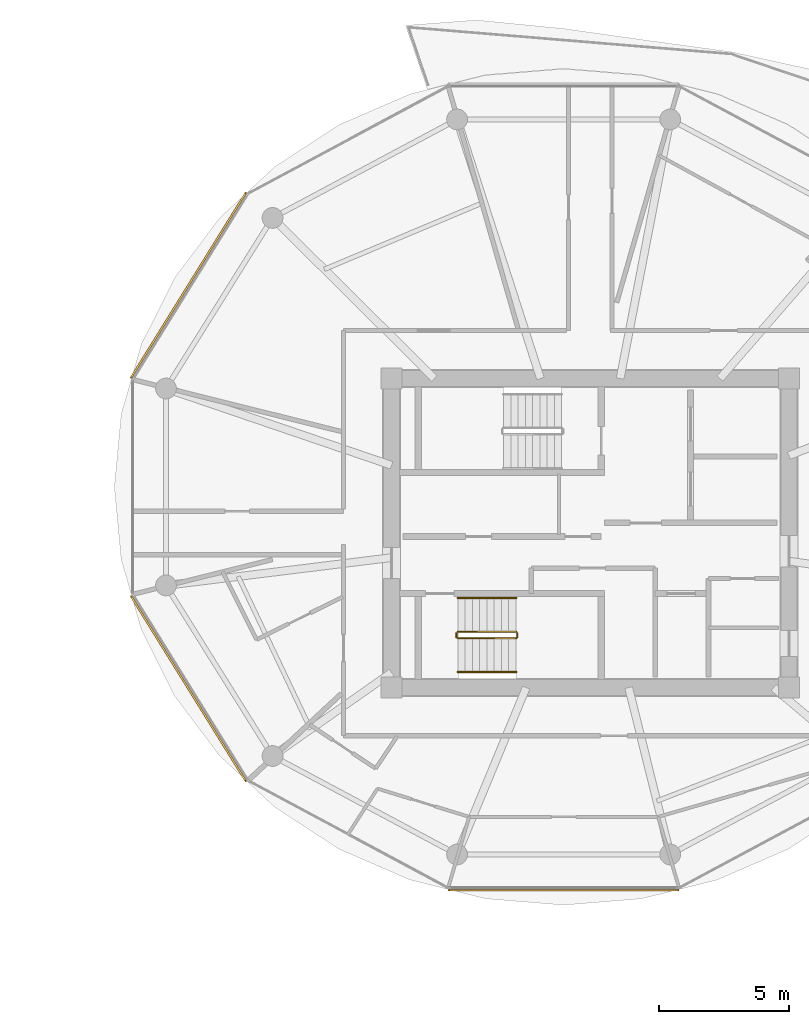
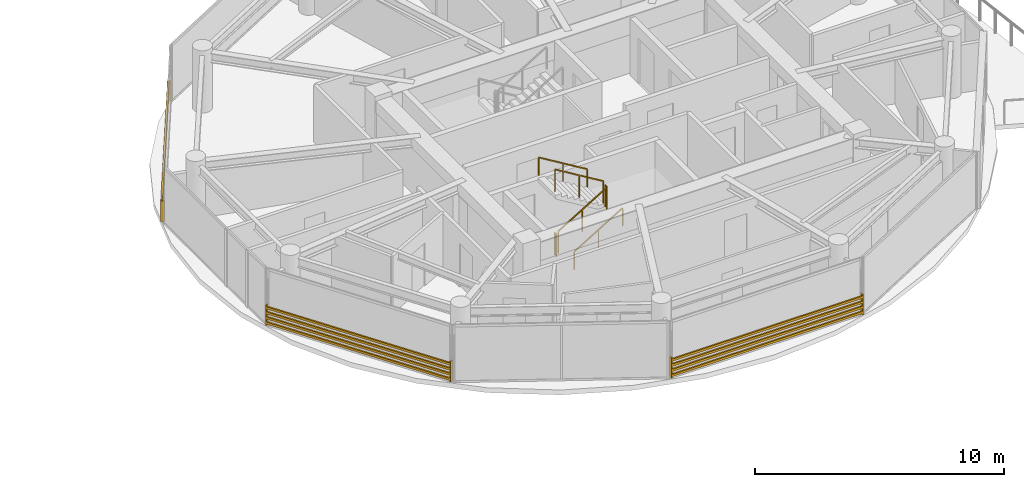
# One storey, part 21 of 22: 6 railings, 3 shading devices.
"""IFC4 building model written with IfcOpenShell, lengths in metres."""

from ifc_helpers import new_model, si_unit, direction, frame, origin, origin_2d, place, context, subcontext, project, spatial, rectangle, extrude, source, transform, mapped, material, type_object, type_shapes, element, save


model = new_model("IFC4")

# Units and contexts
model_context = context("Model", 3, precision=1e-05, world=origin(), true_north=direction((0.0, 1.0)))
body_context = subcontext(model_context, "Body", "Model", "MODEL_VIEW")
ifc_project = project(units=[si_unit("LENGTHUNIT", "METRE"), si_unit("AREAUNIT", "SQUARE_METRE"), si_unit("VOLUMEUNIT", "CUBIC_METRE"), si_unit("PLANEANGLEUNIT", "RADIAN"), si_unit("MASSUNIT", "GRAM", prefix="KILO")], contexts=[model_context])

# Site, building, storey
site_placement = place(None, origin())
site = spatial("IfcSite", under=ifc_project, at=site_placement, CompositionType="ELEMENT")
building_placement = place(site_placement, origin())
building = spatial("IfcBuilding", under=site, at=building_placement, Name="Norrkilde Senior Care Towers", CompositionType="ELEMENT")
storey_placement = place(building_placement, frame((0.0, 0.0, 167.85009765625)))
storey = spatial("IfcBuildingStorey", under=building, at=storey_placement, Name="L52", CompositionType="ELEMENT", Elevation=167.85009765625)

# Railings
ifc_material_1 = material(Name="Stainless Steel", Category="steel")
railing_type_1 = type_object("IfcRailingType", Name="Stair and Terrace Guardrail 1100", PredefinedType="GUARDRAIL", material=ifc_material_1)
railing_1_placement = place(storey_placement, frame((22.89990234375, -4.050048828125, 0.16943359375)))
element("IfcRailing", 1, at=railing_1_placement, inside=storey, type_object=railing_type_1, Name="L52 ST-E2 stair guard 1", PredefinedType="GUARDRAIL", context=body_context, shape_type="SweptSolid", body=[
    extrude(rectangle(XDim=0.048095703125, YDim=0.048095703125, at=origin_2d()), frame((0.0, 0.0, 1.076171875), z_axis=(0.855553338991, 0.0, 0.51771467445), x_axis=(0.0, 1.0, 0.0)), (0.0, 0.0, 1.0), 2.6181640625),
    extrude(rectangle(XDim=0.0419921875, YDim=0.0419921875, at=origin_2d()), origin(), (0.0, 0.0, 1.0), 1.050048828125),
    extrude(rectangle(XDim=0.0419921875, YDim=0.0419921875, at=origin_2d()), frame((1.1201171875, 0.0, 0.677734375)), (0.0, 0.0, 1.0), 1.050048828125),
    extrude(rectangle(XDim=0.0419921875, YDim=0.0419921875, at=origin_2d()), frame((2.239990234375, 0.0, 1.35546875)), (0.0, 0.0, 1.0), 1.050048828125),
])
railing_2_placement = place(storey_placement, frame((25.18994140625, -4.0, 1.52490234375)))
element("IfcRailing", 2, at=railing_2_placement, inside=storey, type_object=railing_type_1, Name="L52 ST-E2 stair guard 2", PredefinedType="GUARDRAIL", context=body_context, shape_type="SweptSolid", body=[
    extrude(rectangle(XDim=0.048095703125, YDim=0.048095703125, at=origin_2d()), frame((0.0, 0.0, 1.076171875), z_axis=(0.0, 1.0, 0.0), x_axis=(-1.0, 0.0, 0.0)), (0.0, 0.0, 1.0), 0.14990234375),
    extrude(rectangle(XDim=0.0419921875, YDim=0.0419921875, at=origin_2d()), origin(), (0.0, 0.0, 1.0), 1.050048828125),
    extrude(rectangle(XDim=0.0419921875, YDim=0.0419921875, at=origin_2d()), frame((0.0, 0.14990234375, 0.0)), (0.0, 0.0, 1.0), 1.050048828125),
])
railing_3_placement = place(storey_placement, frame((25.139892578125, -3.800048828125, 1.6943359375)))
element("IfcRailing", 3, at=railing_3_placement, inside=storey, type_object=railing_type_1, Name="L52 ST-E2 stair guard 3", PredefinedType="GUARDRAIL", context=body_context, shape_type="SweptSolid", body=[
    extrude(rectangle(XDim=0.048095703125, YDim=0.048095703125, at=origin_2d()), frame((0.0, 0.0, 1.076171875), z_axis=(-0.855553338991, 0.0, 0.51771467445), x_axis=(0.0, -1.0, 0.0)), (0.0, 0.0, 1.0), 2.6181640625),
    extrude(rectangle(XDim=0.0419921875, YDim=0.0419921875, at=origin_2d()), origin(), (0.0, 0.0, 1.0), 1.050048828125),
    extrude(rectangle(XDim=0.0419921875, YDim=0.0419921875, at=origin_2d()), frame((-1.1201171875, 0.0, 0.677734375)), (0.0, 0.0, 1.0), 1.050048828125),
    extrude(rectangle(XDim=0.0419921875, YDim=0.0419921875, at=origin_2d()), frame((-2.239990234375, 0.0, 1.35546875)), (0.0, 0.0, 1.0), 1.050048828125),
])
railing_4_placement = place(storey_placement, frame((22.85009765625, -4.0, 0.0)))
element("IfcRailing", 4, at=railing_4_placement, inside=storey, type_object=railing_type_1, Name="L52 ST-E2 stair guard 4", PredefinedType="GUARDRAIL", context=body_context, shape_type="SweptSolid", body=[
    extrude(rectangle(XDim=0.048095703125, YDim=0.048095703125, at=origin_2d()), frame((0.0, 0.0, 1.076171875), z_axis=(0.0, 1.0, 0.0), x_axis=(-1.0, 0.0, 0.0)), (0.0, 0.0, 1.0), 0.14990234375),
    extrude(rectangle(XDim=0.0419921875, YDim=0.0419921875, at=origin_2d()), origin(), (0.0, 0.0, 1.0), 1.050048828125),
    extrude(rectangle(XDim=0.0419921875, YDim=0.0419921875, at=origin_2d()), frame((0.0, 0.14990234375, 0.0)), (0.0, 0.0, 1.0), 1.050048828125),
])
ifc_material_2 = material(Name="Nordic Ash Timber", Category="wood")
railing_type_2 = type_object("IfcRailingType", Name="Wall and Stair Handrail 900", PredefinedType="HANDRAIL", material=ifc_material_2)
railing_5_placement = place(storey_placement, frame((22.89990234375, -5.35009765625, 0.16943359375)))
element("IfcRailing", 5, at=railing_5_placement, inside=storey, type_object=railing_type_2, Name="L52 ST-E2 stair handrail 1", PredefinedType="HANDRAIL", context=body_context, shape_type="SweptSolid", body=[
    extrude(rectangle(XDim=0.048095703125, YDim=0.048095703125, at=origin_2d()), frame((0.0, 0.0, 0.8759765625), z_axis=(0.855553338991, 0.0, 0.51771467445), x_axis=(0.0, 1.0, 0.0)), (0.0, 0.0, 1.0), 2.6181640625),
    extrude(rectangle(XDim=0.0419921875, YDim=0.0419921875, at=origin_2d()), origin(), (0.0, 0.0, 1.0), 0.849853515625),
    extrude(rectangle(XDim=0.0419921875, YDim=0.0419921875, at=origin_2d()), frame((1.1201171875, 0.0, 0.677734375)), (0.0, 0.0, 1.0), 0.849853515625),
    extrude(rectangle(XDim=0.0419921875, YDim=0.0419921875, at=origin_2d()), frame((2.239990234375, 0.0, 1.35546875)), (0.0, 0.0, 1.0), 0.849853515625),
])
railing_6_placement = place(storey_placement, frame((25.139892578125, -2.5, 1.6943359375)))
element("IfcRailing", 6, at=railing_6_placement, inside=storey, type_object=railing_type_2, Name="L52 ST-E2 stair handrail 2", PredefinedType="HANDRAIL", context=body_context, shape_type="SweptSolid", body=[
    extrude(rectangle(XDim=0.048095703125, YDim=0.048095703125, at=origin_2d()), frame((0.0, 0.0, 0.8759765625), z_axis=(-0.855553338991, 0.0, 0.51771467445), x_axis=(0.0, -1.0, 0.0)), (0.0, 0.0, 1.0), 2.6181640625),
    extrude(rectangle(XDim=0.0419921875, YDim=0.0419921875, at=origin_2d()), origin(), (0.0, 0.0, 1.0), 0.849853515625),
    extrude(rectangle(XDim=0.0419921875, YDim=0.0419921875, at=origin_2d()), frame((-1.1201171875, 0.0, 0.677734375)), (0.0, 0.0, 1.0), 0.849853515625),
    extrude(rectangle(XDim=0.0419921875, YDim=0.0419921875, at=origin_2d()), frame((-2.239990234375, 0.0, 1.35546875)), (0.0, 0.0, 1.0), 0.849853515625),
])

# Shading devices
ifc_material_3 = material(Name="Architectural Terracotta", Category="masonry")
shading_device_type = type_object("IfcShadingDeviceType", Name="Horizontal Terracotta Baguette Rack", PredefinedType="USERDEFINED", material=ifc_material_3)
shared_shape_1 = source(origin(), body_context, "Body", "SweptSolid", [
    extrude(rectangle(XDim=0.070068359375, YDim=0.110107421875, at=origin_2d()), frame((0.0, 0.090087890625, 0.125), z_axis=(1.0, 0.0, 0.0), x_axis=(0.0, 1.0, 0.0)), (0.0, 0.0, 1.0), 8.89306640625),
    extrude(rectangle(XDim=0.070068359375, YDim=0.110107421875, at=origin_2d()), frame((0.0, 0.090087890625, 0.375), z_axis=(1.0, 0.0, 0.0), x_axis=(0.0, 1.0, 0.0)), (0.0, 0.0, 1.0), 8.89306640625),
    extrude(rectangle(XDim=0.070068359375, YDim=0.110107421875, at=origin_2d()), frame((0.0, 0.090087890625, 0.625), z_axis=(1.0, 0.0, 0.0), x_axis=(0.0, 1.0, 0.0)), (0.0, 0.0, 1.0), 8.89306640625),
    extrude(rectangle(XDim=0.070068359375, YDim=0.110107421875, at=origin_2d()), frame((0.0, 0.090087890625, 0.875), z_axis=(1.0, 0.0, 0.0), x_axis=(0.0, 1.0, 0.0)), (0.0, 0.0, 1.0), 8.89306640625),
    extrude(rectangle(XDim=0.050048828125, YDim=0.1552734375, at=origin_2d()), frame((0.02490234375, 0.047607421875, 0.0)), (0.0, 0.0, 1.0), 1.0),
    extrude(rectangle(XDim=0.050048828125, YDim=0.1552734375, at=origin_2d()), frame((8.8681640625, 0.047607421875, 0.0)), (0.0, 0.0, 1.0), 1.0),
])
shading_device_placement = place(storey_placement, frame((31.421630859375, -13.66015625, 0.079833984375), z_axis=(0.0, 0.0, 1.0), x_axis=(-1.0, 0.0, 0.0)))
element("IfcShadingDevice", 7, at=shading_device_placement, inside=storey, type_object=shading_device_type, Name="L52 Drum E Terracotta Baguette Screen 08", ObjectType="BAGUETTE", PredefinedType="USERDEFINED", context=body_context, shape_type="MappedRepresentation", body=[
    mapped(shared_shape_1, transform((0.0, 0.0, 0.0), x_axis=(1.0, 0.0, 0.0), y_axis=(0.0, 1.0, 0.0), z_axis=(0.0, 0.0, 1.0), scale=1.0)),
])
shared_shape_2 = source(origin(), body_context, "Body", "SweptSolid", [
    extrude(rectangle(XDim=0.070068359375, YDim=0.110107421875, at=origin_2d()), frame((0.0, 0.090087890625, 0.125), z_axis=(1.0, 0.0, 0.0), x_axis=(0.0, 1.0, 0.0)), (0.0, 0.0, 1.0), 8.431396484375),
    extrude(rectangle(XDim=0.070068359375, YDim=0.110107421875, at=origin_2d()), frame((0.0, 0.090087890625, 0.375), z_axis=(1.0, 0.0, 0.0), x_axis=(0.0, 1.0, 0.0)), (0.0, 0.0, 1.0), 8.431396484375),
    extrude(rectangle(XDim=0.070068359375, YDim=0.110107421875, at=origin_2d()), frame((0.0, 0.090087890625, 0.625), z_axis=(1.0, 0.0, 0.0), x_axis=(0.0, 1.0, 0.0)), (0.0, 0.0, 1.0), 8.431396484375),
    extrude(rectangle(XDim=0.070068359375, YDim=0.110107421875, at=origin_2d()), frame((0.0, 0.090087890625, 0.875), z_axis=(1.0, 0.0, 0.0), x_axis=(0.0, 1.0, 0.0)), (0.0, 0.0, 1.0), 8.431396484375),
    extrude(rectangle(XDim=0.050048828125, YDim=0.1552734375, at=origin_2d()), frame((0.02490234375, 0.047607421875, 0.0)), (0.0, 0.0, 1.0), 1.0),
    extrude(rectangle(XDim=0.050048828125, YDim=0.1552734375, at=origin_2d()), frame((8.40625, 0.047607421875, 0.0)), (0.0, 0.0, 1.0), 1.0),
])
type_shapes(shading_device_type, [shared_shape_1, shared_shape_2])
for number, where, z_axis, x_axis, name in (
    (8, (10.38037109375, 5.911376953125, 0.079833984375), (0.0, 0.0, 1.0), (0.527378022296, 0.849630809324, 0.0), "L52 Drum E Terracotta Baguette Screen 04"),
    (9, (14.826904296875, -9.524169921875, 0.079833984375), (0.0, 0.0, 1.0), (-0.527378022296, 0.849630809324, 0.0), "L52 Drum E Terracotta Baguette Screen 06"),
):
    element("IfcShadingDevice", number, at=place(storey_placement, frame(where, z_axis=z_axis, x_axis=x_axis)), inside=storey, type_object=shading_device_type, Name=name, ObjectType="BAGUETTE", PredefinedType="USERDEFINED", context=body_context, shape_type="MappedRepresentation", body=[
        mapped(shared_shape_2, transform((0.0, 0.0, 0.0), x_axis=(1.0, 0.0, 0.0), y_axis=(0.0, 1.0, 0.0), z_axis=(0.0, 0.0, 1.0), scale=1.0)),
    ])

save(model, "model.ifc")
